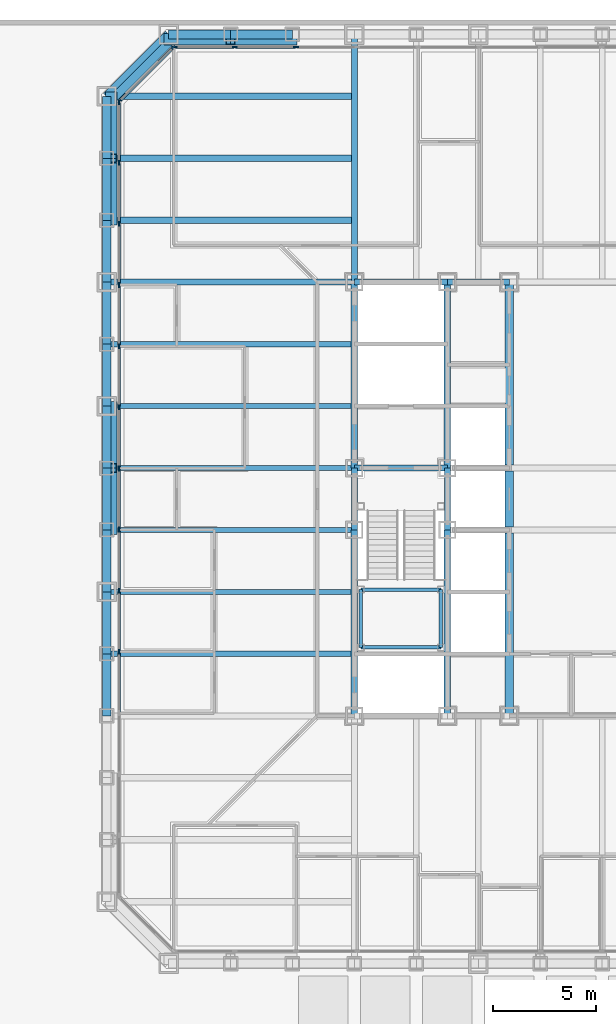
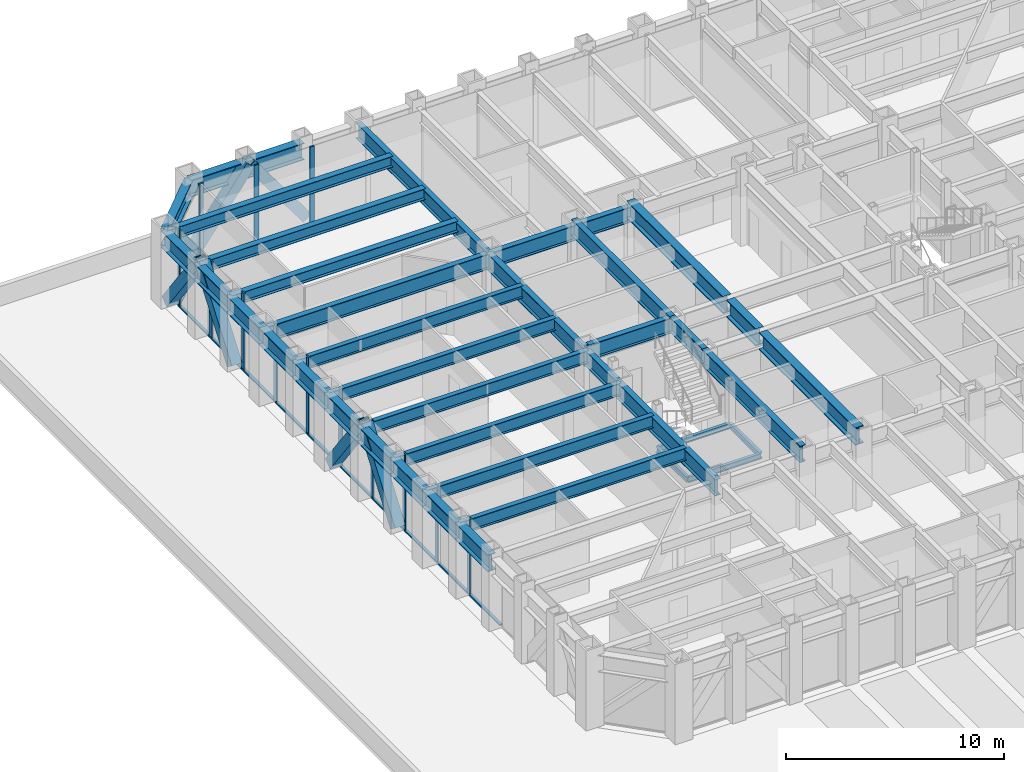
# One storey, part 4 of 18: 40 beams, 35 members, 3 elements without a shape of their own.
"""IFC4 building model written with IfcOpenShell, lengths in metres."""

from ifc_helpers import new_model, si_unit, direction, frame, origin, origin_2d, place, context, subcontext, project, spatial, rectangle, hollow_rectangle, i_section, extrude, material, layer, layer_set, material_profile, profile_set, type_object, element, aggregate, save


model = new_model("IFC4")

# Units and contexts
model_context = context("Model", 3, precision=1e-05, world=origin(), true_north=direction((0.0, 1.0)))
body_context = subcontext(model_context, "Body", "Model", "MODEL_VIEW")
ifc_project = project(units=[si_unit("LENGTHUNIT", "METRE"), si_unit("AREAUNIT", "SQUARE_METRE"), si_unit("VOLUMEUNIT", "CUBIC_METRE"), si_unit("PLANEANGLEUNIT", "RADIAN"), si_unit("MASSUNIT", "GRAM", prefix="KILO")], contexts=[model_context])

# Site, building, storey
site_placement = place(None, origin())
site = spatial("IfcSite", under=ifc_project, at=site_placement, CompositionType="ELEMENT")
building_placement = place(site_placement, origin())
building = spatial("IfcBuilding", under=site, at=building_placement, Name="Chuquiago Exchange Tower", CompositionType="ELEMENT")
storey_placement = place(building_placement, frame((0.0, 0.0, 24.300048828125)))
storey = spatial("IfcBuildingStorey", under=building, at=storey_placement, Name="L04", CompositionType="ELEMENT", Elevation=24.300048828125)

# Beams
ifc_material_1 = material(Name="Steel ASTM A992", Category="steel")
ifc_material_profile_1 = material_profile(ifc_material_1, i_section(OverallWidth=0.307373046875, OverallDepth=0.927001953125, WebThickness=0.01953125, FlangeThickness=0.031982421875, at=origin_2d()), Name="W36X194")
ifc_profile_set_1 = profile_set([ifc_material_profile_1], Name="Steel ASTM A992")
beam_type_1 = type_object("IfcBeamType", Name="B10 W36X194", PredefinedType="BEAM", material=ifc_profile_set_1)
for number, where, z_axis, x_axis, name in (
    (1, (12.0, 12.0, 3.576416015625), (0.0, 1.0, 0.0), (-1.0, 0.0, 0.0), "CB-L05-12_12-12_21"),
    (2, (12.0, 24.0, 3.576416015625), (0.0, 1.0, 0.0), (-1.0, 0.0, 0.0), "CB-L05-12_24-12_33"),
    (3, (16.5, 12.0, 3.87646484375), (0.0, 1.0, 0.0), (-1.0, 0.0, 0.0), "CB-L05-16.5_12-16.5_21"),
    (4, (16.5, 24.0, 3.87646484375), (0.0, 1.0, 0.0), (-1.0, 0.0, 0.0), "CB-L05-16.5_24-16.5_33"),
):
    element("IfcBeam", number, at=place(storey_placement, frame(where, z_axis=z_axis, x_axis=x_axis)), inside=storey, type_object=beam_type_1, Name=name, PredefinedType="BEAM", context=body_context, shape_type="SweptSolid", body=[
        extrude(i_section(OverallWidth=0.307373046875, OverallDepth=0.927001953125, WebThickness=0.01953125, FlangeThickness=0.031982421875, at=origin_2d()), origin(), (0.0, 0.0, 1.0), 9.0),
    ])
ifc_material_2 = material(Name="Steel ASTM A992", Category="steel")
ifc_material_profile_2 = material_profile(ifc_material_2, i_section(OverallWidth=0.4267578125, OverallDepth=0.975341796875, WebThickness=0.031005859375, FlangeThickness=0.055908203125, at=origin_2d()), Name="W36X395")
ifc_profile_set_2 = profile_set([ifc_material_profile_2], Name="Steel ASTM A992")
beam_type_2 = type_object("IfcBeamType", Name="B12 W36X395", PredefinedType="BEAM", material=ifc_profile_set_2)
beam_1_placement = place(storey_placement, frame((19.5, 12.0, 3.852294921875), z_axis=(0.0, 1.0, 0.0), x_axis=(-1.0, 0.0, 0.0)))
element("IfcBeam", 5, at=beam_1_placement, inside=storey, type_object=beam_type_2, Name="CB-L05-19.5_12-19.5_20.8451", PredefinedType="BEAM", context=body_context, shape_type="SweptSolid", body=[
    extrude(i_section(OverallWidth=0.4267578125, OverallDepth=0.975341796875, WebThickness=0.031005859375, FlangeThickness=0.055908203125, at=origin_2d()), origin(), (0.0, 0.0, 1.0), 8.84521484375),
])
beam_2_placement = place(storey_placement, frame((19.5, 21.15478515625, 3.852294921875), z_axis=(0.0, 1.0, 0.0), x_axis=(-1.0, 0.0, 0.0)))
element("IfcBeam", 6, at=beam_2_placement, inside=storey, type_object=beam_type_2, Name="CB-L05-19.5_21.1549-19.5_23.8451", PredefinedType="BEAM", context=body_context, shape_type="SweptSolid", body=[
    extrude(i_section(OverallWidth=0.4267578125, OverallDepth=0.975341796875, WebThickness=0.031005859375, FlangeThickness=0.055908203125, at=origin_2d()), origin(), (0.0, 0.0, 1.0), 2.6904296875),
])
beam_3_placement = place(storey_placement, frame((19.5, 24.15478515625, 3.852294921875), z_axis=(0.0, 1.0, 0.0), x_axis=(-1.0, 0.0, 0.0)))
element("IfcBeam", 7, at=beam_3_placement, inside=storey, type_object=beam_type_2, Name="CB-L05-19.5_24.1549-19.5_33", PredefinedType="BEAM", context=body_context, shape_type="SweptSolid", body=[
    extrude(i_section(OverallWidth=0.4267578125, OverallDepth=0.975341796875, WebThickness=0.031005859375, FlangeThickness=0.055908203125, at=origin_2d()), origin(), (0.0, 0.0, 1.0), 8.84521484375),
])
ifc_material_3 = material(Name="Steel ASTM A992", Category="steel")
ifc_material_profile_3 = material_profile(ifc_material_3, i_section(OverallWidth=0.2919921875, OverallDepth=0.8583984375, WebThickness=0.01708984375, FlangeThickness=0.031005859375, at=origin_2d()), Name="W33X169")
ifc_profile_set_3 = profile_set([ifc_material_profile_3], Name="Steel ASTM A992")
beam_type_3 = type_object("IfcBeamType", Name="B3 W33X169", PredefinedType="BEAM", material=ifc_profile_set_3)
for number, where, z_axis, x_axis, name in (
    (8, (12.0, 21.0, 3.610595703125), (0.0, 1.0, 0.0), (-1.0, 0.0, 0.0), "CB-L05-12_21-12_24"),
    (9, (16.5, 21.0, 3.91064453125), (0.0, 1.0, 0.0), (-1.0, 0.0, 0.0), "CB-L05-16.5_21-16.5_24"),
):
    element("IfcBeam", number, at=place(storey_placement, frame(where, z_axis=z_axis, x_axis=x_axis)), inside=storey, type_object=beam_type_3, Name=name, PredefinedType="BEAM", context=body_context, shape_type="SweptSolid", body=[
        extrude(i_section(OverallWidth=0.2919921875, OverallDepth=0.8583984375, WebThickness=0.01708984375, FlangeThickness=0.031005859375, at=origin_2d()), origin(), (0.0, 0.0, 1.0), 3.0),
    ])
for number, where, z_axis, x_axis, name in (
    (10, (12.0, 24.0, 3.91064453125), (1.0, 0.0, 0.0), (0.0, 1.0, 0.0), "CB-L05-12_24-16.5_24"),
    (11, (12.0, 33.0, 3.610595703125), (1.0, 0.0, 0.0), (0.0, 1.0, 0.0), "CB-L05-12_33-16.5_33"),
):
    element("IfcBeam", number, at=place(storey_placement, frame(where, z_axis=z_axis, x_axis=x_axis)), inside=storey, type_object=beam_type_3, Name=name, PredefinedType="BEAM", context=body_context, shape_type="SweptSolid", body=[
        extrude(i_section(OverallWidth=0.2919921875, OverallDepth=0.8583984375, WebThickness=0.01708984375, FlangeThickness=0.031005859375, at=origin_2d()), origin(), (0.0, 0.0, 1.0), 4.5),
    ])
beam_4_placement = place(storey_placement, frame((16.5, 33.0, 3.610595703125), z_axis=(1.0, 0.0, 0.0), x_axis=(0.0, 1.0, 0.0)))
element("IfcBeam", 12, at=beam_4_placement, inside=storey, type_object=beam_type_3, Name="CB-L05-16.5_33-19.5_33", PredefinedType="BEAM", context=body_context, shape_type="SweptSolid", body=[
    extrude(i_section(OverallWidth=0.2919921875, OverallDepth=0.8583984375, WebThickness=0.01708984375, FlangeThickness=0.031005859375, at=origin_2d()), origin(), (0.0, 0.0, 1.0), 3.0),
])
ifc_material_4 = material(Name="Steel ASTM A992", Category="steel")
ifc_material_profile_4 = material_profile(ifc_material_4, i_section(OverallWidth=0.256591796875, OverallDepth=0.693359375, WebThickness=0.014404296875, FlangeThickness=0.023681640625, at=origin_2d()), Name="W27X114")
ifc_profile_set_4 = profile_set([ifc_material_profile_4], Name="Steel ASTM A992")
beam_type_4 = type_object("IfcBeamType", Name="B4 W27X114", PredefinedType="BEAM", material=ifc_profile_set_4)
for number, where, z_axis, x_axis, name in (
    (13, (12.0, 15.0, 3.693359375), (-1.0, 0.0, 0.0), (0.0, -1.0, 0.0), "FB-L05-infill-12_15--0_15-0"),
    (14, (12.0, 18.0, 3.693359375), (-1.0, 0.0, 0.0), (0.0, -1.0, 0.0), "FB-L05-infill-12_18--0_18-0"),
    (15, (12.0, 21.0, 3.693359375), (-1.0, 0.0, 0.0), (0.0, -1.0, 0.0), "FB-L05-infill-12_21--0_21-0"),
    (16, (12.0, 24.0, 3.693359375), (-1.0, 0.0, 0.0), (0.0, -1.0, 0.0), "FB-L05-infill-12_24--0_24-0"),
    (17, (12.0, 27.0, 3.693359375), (-1.0, 0.0, 0.0), (0.0, -1.0, 0.0), "FB-L05-infill-12_27--0_27-0"),
    (18, (12.0, 30.0, 3.693359375), (-1.0, 0.0, 0.0), (0.0, -1.0, 0.0), "FB-L05-infill-12_30--0_30-0"),
):
    element("IfcBeam", number, at=place(storey_placement, frame(where, z_axis=z_axis, x_axis=x_axis)), inside=storey, type_object=beam_type_4, Name=name, PredefinedType="BEAM", context=body_context, shape_type="SweptSolid", body=[
        extrude(i_section(OverallWidth=0.256591796875, OverallDepth=0.693359375, WebThickness=0.014404296875, FlangeThickness=0.023681640625, at=origin_2d()), origin(), (0.0, 0.0, 1.0), 12.0),
    ])
ifc_material_5 = material(Name="Steel ASTM A992", Category="steel")
ifc_material_profile_5 = material_profile(ifc_material_5, i_section(OverallWidth=0.3251953125, OverallDepth=0.6171875, WebThickness=0.013916015625, FlangeThickness=0.021484375, at=origin_2d()), Name="W24X117")
ifc_profile_set_5 = profile_set([ifc_material_profile_5], Name="Steel ASTM A992")
beam_type_5 = type_object("IfcBeamType", Name="B5 W24X117", PredefinedType="BEAM", material=ifc_profile_set_5)
for number, where, z_axis, x_axis, name in (
    (19, (12.0, 36.0, 3.7314453125), (-1.0, 0.0, 0.0), (0.0, -1.0, 0.0), "FB-L05-corner-12_36--0_36-0"),
    (20, (12.0, 39.0, 3.7314453125), (-1.0, 0.0, 0.0), (0.0, -1.0, 0.0), "FB-L05-corner-12_39--0_39-0"),
    (21, (12.0, 42.0, 3.7314453125), (-1.0, 0.0, 0.0), (0.0, -1.0, 0.0), "FB-L05-corner-12_42--0_42-0"),
):
    element("IfcBeam", number, at=place(storey_placement, frame(where, z_axis=z_axis, x_axis=x_axis)), inside=storey, type_object=beam_type_5, Name=name, PredefinedType="BEAM", context=body_context, shape_type="SweptSolid", body=[
        extrude(i_section(OverallWidth=0.3251953125, OverallDepth=0.6171875, WebThickness=0.013916015625, FlangeThickness=0.021484375, at=origin_2d()), origin(), (0.0, 0.0, 1.0), 12.0),
    ])

# Curtain wall, members
ifc_material_6 = material(Name="Aluminium curtain wall system", Category="aluminium")
ifc_layer_1 = layer(ifc_material_6, 0.25)
ifc_layer_set_1 = layer_set([ifc_layer_1], Name="CW1 trading floor curtain wall")
curtain_wall_type_1 = type_object("IfcCurtainWallType", Name="CW1 trading floor curtain wall", PredefinedType="NOTDEFINED", material=ifc_layer_set_1)
curtain_wall_1_placement = place(storey_placement, origin())
curtain_wall_1 = element("IfcCurtainWall", 22, at=curtain_wall_1_placement, inside=storey, type_object=curtain_wall_type_1, Name="CW1 curtain wall L04", PredefinedType="NOTDEFINED")
ifc_material_7 = material(Name="Aluminium mullion, pale anodised", Category="aluminium")
ifc_material_profile_6 = material_profile(ifc_material_7, rectangle(XDim=0.074951171875, YDim=0.25, at=origin_2d()), Name="AL 75x250")
ifc_profile_set_6 = profile_set([ifc_material_profile_6], Name="Aluminium mullion, pale anodised")
member_type_1 = type_object("IfcMemberType", Name="CW1-M mullion 75x250", PredefinedType="MULLION", material=ifc_profile_set_6)
member_1_placement = place(storey_placement, frame((9.172119140625, 44.39990234375, -0.300048828125), z_axis=(0.0, 0.0, 1.0), x_axis=(0.0, -1.0, 0.0)))
member_1 = element("IfcMember", 23, at=member_1_placement, type_object=member_type_1, Name="CW1 mullion 12", PredefinedType="MULLION", context=body_context, shape_type="SweptSolid", body=[
    extrude(rectangle(XDim=0.074951171875, YDim=0.25, at=origin_2d()), origin(), (0.0, 0.0, 1.0), 4.340087890625),
])
member_2_placement = place(storey_placement, frame((6.210205078125, 44.39990234375, -0.300048828125), z_axis=(0.0, 0.0, 1.0), x_axis=(0.0, -1.0, 0.0)))
member_2 = element("IfcMember", 24, at=member_2_placement, type_object=member_type_1, Name="CW1 mullion 13", PredefinedType="MULLION", context=body_context, shape_type="SweptSolid", body=[
    extrude(rectangle(XDim=0.074951171875, YDim=0.25, at=origin_2d()), origin(), (0.0, 0.0, 1.0), 4.340087890625),
])
member_3_placement = place(storey_placement, frame((3.285888671875, 44.39990234375, -0.300048828125), z_axis=(0.0, 0.0, 1.0), x_axis=(0.0, -1.0, 0.0)))
member_3 = element("IfcMember", 25, at=member_3_placement, type_object=member_type_1, Name="CW1 mullion 14", PredefinedType="MULLION", context=body_context, shape_type="SweptSolid", body=[
    extrude(rectangle(XDim=0.074951171875, YDim=0.25, at=origin_2d()), origin(), (0.0, 0.0, 1.0), 4.340087890625),
])

curtain_wall_2_placement = place(storey_placement, origin())
curtain_wall_2 = element("IfcCurtainWall", 26, at=curtain_wall_2_placement, inside=storey, type_object=curtain_wall_type_1, Name="CW1 curtain wall L04", PredefinedType="NOTDEFINED")
member_4_placement = place(storey_placement, frame((0.60009765625, 41.714111328125, -0.300048828125), z_axis=(0.0, 0.0, 1.0), x_axis=(1.0, 0.0, 0.0)))
member_4 = element("IfcMember", 27, at=member_4_placement, type_object=member_type_1, Name="CW1 mullion 1", PredefinedType="MULLION", context=body_context, shape_type="SweptSolid", body=[
    extrude(rectangle(XDim=0.074951171875, YDim=0.25, at=origin_2d()), origin(), (0.0, 0.0, 1.0), 4.340087890625),
])
member_5_placement = place(storey_placement, frame((0.60009765625, 38.789794921875, -0.300048828125), z_axis=(0.0, 0.0, 1.0), x_axis=(1.0, 0.0, 0.0)))
member_5 = element("IfcMember", 28, at=member_5_placement, type_object=member_type_1, Name="CW1 mullion 2", PredefinedType="MULLION", context=body_context, shape_type="SweptSolid", body=[
    extrude(rectangle(XDim=0.074951171875, YDim=0.25, at=origin_2d()), origin(), (0.0, 0.0, 1.0), 4.340087890625),
])
member_6_placement = place(storey_placement, frame((0.60009765625, 35.827880859375, -0.300048828125), z_axis=(0.0, 0.0, 1.0), x_axis=(1.0, 0.0, 0.0)))
member_6 = element("IfcMember", 29, at=member_6_placement, type_object=member_type_1, Name="CW1 mullion 3", PredefinedType="MULLION", context=body_context, shape_type="SweptSolid", body=[
    extrude(rectangle(XDim=0.074951171875, YDim=0.25, at=origin_2d()), origin(), (0.0, 0.0, 1.0), 4.340087890625),
])
member_7_placement = place(storey_placement, frame((0.60009765625, 32.8662109375, -0.300048828125), z_axis=(0.0, 0.0, 1.0), x_axis=(1.0, 0.0, 0.0)))
member_7 = element("IfcMember", 30, at=member_7_placement, type_object=member_type_1, Name="CW1 mullion 4", PredefinedType="MULLION", context=body_context, shape_type="SweptSolid", body=[
    extrude(rectangle(XDim=0.074951171875, YDim=0.25, at=origin_2d()), origin(), (0.0, 0.0, 1.0), 4.340087890625),
])
member_8_placement = place(storey_placement, frame((0.60009765625, 29.904541015625, -0.300048828125), z_axis=(0.0, 0.0, 1.0), x_axis=(1.0, 0.0, 0.0)))
member_8 = element("IfcMember", 31, at=member_8_placement, type_object=member_type_1, Name="CW1 mullion 5", PredefinedType="MULLION", context=body_context, shape_type="SweptSolid", body=[
    extrude(rectangle(XDim=0.074951171875, YDim=0.25, at=origin_2d()), origin(), (0.0, 0.0, 1.0), 4.340087890625),
])
member_9_placement = place(storey_placement, frame((0.60009765625, 26.942626953125, -0.300048828125), z_axis=(0.0, 0.0, 1.0), x_axis=(1.0, 0.0, 0.0)))
member_9 = element("IfcMember", 32, at=member_9_placement, type_object=member_type_1, Name="CW1 mullion 6", PredefinedType="MULLION", context=body_context, shape_type="SweptSolid", body=[
    extrude(rectangle(XDim=0.074951171875, YDim=0.25, at=origin_2d()), origin(), (0.0, 0.0, 1.0), 4.340087890625),
])
member_10_placement = place(storey_placement, frame((0.60009765625, 23.98095703125, -0.300048828125), z_axis=(0.0, 0.0, 1.0), x_axis=(1.0, 0.0, 0.0)))
member_10 = element("IfcMember", 33, at=member_10_placement, type_object=member_type_1, Name="CW1 mullion 7", PredefinedType="MULLION", context=body_context, shape_type="SweptSolid", body=[
    extrude(rectangle(XDim=0.074951171875, YDim=0.25, at=origin_2d()), origin(), (0.0, 0.0, 1.0), 4.340087890625),
])
member_11_placement = place(storey_placement, frame((0.60009765625, 21.01904296875, -0.300048828125), z_axis=(0.0, 0.0, 1.0), x_axis=(1.0, 0.0, 0.0)))
member_11 = element("IfcMember", 34, at=member_11_placement, type_object=member_type_1, Name="CW1 mullion 8", PredefinedType="MULLION", context=body_context, shape_type="SweptSolid", body=[
    extrude(rectangle(XDim=0.074951171875, YDim=0.25, at=origin_2d()), origin(), (0.0, 0.0, 1.0), 4.340087890625),
])
member_12_placement = place(storey_placement, frame((0.60009765625, 18.057373046875, -0.300048828125), z_axis=(0.0, 0.0, 1.0), x_axis=(1.0, 0.0, 0.0)))
member_12 = element("IfcMember", 35, at=member_12_placement, type_object=member_type_1, Name="CW1 mullion 9", PredefinedType="MULLION", context=body_context, shape_type="SweptSolid", body=[
    extrude(rectangle(XDim=0.074951171875, YDim=0.25, at=origin_2d()), origin(), (0.0, 0.0, 1.0), 4.340087890625),
])
member_13_placement = place(storey_placement, frame((0.60009765625, 15.095458984375, -0.300048828125), z_axis=(0.0, 0.0, 1.0), x_axis=(1.0, 0.0, 0.0)))
member_13 = element("IfcMember", 36, at=member_13_placement, type_object=member_type_1, Name="CW1 mullion 10", PredefinedType="MULLION", context=body_context, shape_type="SweptSolid", body=[
    extrude(rectangle(XDim=0.074951171875, YDim=0.25, at=origin_2d()), origin(), (0.0, 0.0, 1.0), 4.340087890625),
])

# Member
ifc_material_8 = material(Name="Aluminium transom, pale anodised", Category="aluminium")
ifc_material_profile_7 = material_profile(ifc_material_8, rectangle(XDim=0.14990234375, YDim=0.074951171875, at=origin_2d()), Name="AL 150x75")
ifc_profile_set_7 = profile_set([ifc_material_profile_7], Name="Aluminium transom, pale anodised")
member_type_2 = type_object("IfcMemberType", Name="CW1-T transom 75x150", PredefinedType="MULLION", material=ifc_profile_set_7)
member_14_placement = place(storey_placement, frame((9.134521484375, 44.39990234375, -0.262451171875), z_axis=(-1.0, 0.0, 0.0), x_axis=(0.0, -1.0, 0.0)))
member_14 = element("IfcMember", 37, at=member_14_placement, type_object=member_type_2, Name="CW1 transom 12.1", PredefinedType="MULLION", context=body_context, shape_type="SweptSolid", body=[
    extrude(rectangle(XDim=0.14990234375, YDim=0.074951171875, at=origin_2d()), origin(), (0.0, 0.0, 1.0), 2.88671875),
])

member_15_placement = place(storey_placement, frame((6.1728515625, 44.39990234375, -0.262451171875), z_axis=(-1.0, 0.0, 0.0), x_axis=(0.0, -1.0, 0.0)))
member_15 = element("IfcMember", 38, at=member_15_placement, type_object=member_type_2, Name="CW1 transom 13.1", PredefinedType="MULLION", context=body_context, shape_type="SweptSolid", body=[
    extrude(rectangle(XDim=0.14990234375, YDim=0.074951171875, at=origin_2d()), origin(), (0.0, 0.0, 1.0), 2.849365234375),
])

aggregate(curtain_wall_1, [member_1, member_2, member_3, member_14, member_15])

member_16_placement = place(storey_placement, frame((0.60009765625, 41.676513671875, -0.262451171875), z_axis=(0.0, -1.0, 0.0), x_axis=(1.0, 0.0, 0.0)))
member_16 = element("IfcMember", 39, at=member_16_placement, type_object=member_type_2, Name="CW1 transom 1.1", PredefinedType="MULLION", context=body_context, shape_type="SweptSolid", body=[
    extrude(rectangle(XDim=0.14990234375, YDim=0.074951171875, at=origin_2d()), origin(), (0.0, 0.0, 1.0), 2.849365234375),
])

member_17_placement = place(storey_placement, frame((0.60009765625, 38.752197265625, -0.262451171875), z_axis=(0.0, -1.0, 0.0), x_axis=(1.0, 0.0, 0.0)))
member_17 = element("IfcMember", 40, at=member_17_placement, type_object=member_type_2, Name="CW1 transom 2.1", PredefinedType="MULLION", context=body_context, shape_type="SweptSolid", body=[
    extrude(rectangle(XDim=0.14990234375, YDim=0.074951171875, at=origin_2d()), origin(), (0.0, 0.0, 1.0), 2.88671875),
])

member_18_placement = place(storey_placement, frame((0.60009765625, 35.79052734375, -0.262451171875), z_axis=(0.0, -1.0, 0.0), x_axis=(1.0, 0.0, 0.0)))
member_18 = element("IfcMember", 41, at=member_18_placement, type_object=member_type_2, Name="CW1 transom 3.1", PredefinedType="MULLION", context=body_context, shape_type="SweptSolid", body=[
    extrude(rectangle(XDim=0.14990234375, YDim=0.074951171875, at=origin_2d()), origin(), (0.0, 0.0, 1.0), 2.88671875),
])

member_19_placement = place(storey_placement, frame((0.60009765625, 32.82861328125, -0.262451171875), z_axis=(0.0, -1.0, 0.0), x_axis=(1.0, 0.0, 0.0)))
member_19 = element("IfcMember", 42, at=member_19_placement, type_object=member_type_2, Name="CW1 transom 4.1", PredefinedType="MULLION", context=body_context, shape_type="SweptSolid", body=[
    extrude(rectangle(XDim=0.14990234375, YDim=0.074951171875, at=origin_2d()), origin(), (0.0, 0.0, 1.0), 2.88671875),
])

member_20_placement = place(storey_placement, frame((0.60009765625, 29.866943359375, -0.262451171875), z_axis=(0.0, -1.0, 0.0), x_axis=(1.0, 0.0, 0.0)))
member_20 = element("IfcMember", 43, at=member_20_placement, type_object=member_type_2, Name="CW1 transom 5.1", PredefinedType="MULLION", context=body_context, shape_type="SweptSolid", body=[
    extrude(rectangle(XDim=0.14990234375, YDim=0.074951171875, at=origin_2d()), origin(), (0.0, 0.0, 1.0), 2.88671875),
])

member_21_placement = place(storey_placement, frame((0.60009765625, 26.9052734375, -0.262451171875), z_axis=(0.0, -1.0, 0.0), x_axis=(1.0, 0.0, 0.0)))
member_21 = element("IfcMember", 44, at=member_21_placement, type_object=member_type_2, Name="CW1 transom 6.1", PredefinedType="MULLION", context=body_context, shape_type="SweptSolid", body=[
    extrude(rectangle(XDim=0.14990234375, YDim=0.074951171875, at=origin_2d()), origin(), (0.0, 0.0, 1.0), 2.886962890625),
])

member_22_placement = place(storey_placement, frame((0.60009765625, 23.943359375, -0.262451171875), z_axis=(0.0, -1.0, 0.0), x_axis=(1.0, 0.0, 0.0)))
member_22 = element("IfcMember", 45, at=member_22_placement, type_object=member_type_2, Name="CW1 transom 7.1", PredefinedType="MULLION", context=body_context, shape_type="SweptSolid", body=[
    extrude(rectangle(XDim=0.14990234375, YDim=0.074951171875, at=origin_2d()), origin(), (0.0, 0.0, 1.0), 2.88671875),
])

member_23_placement = place(storey_placement, frame((0.60009765625, 20.981689453125, -0.262451171875), z_axis=(0.0, -1.0, 0.0), x_axis=(1.0, 0.0, 0.0)))
member_23 = element("IfcMember", 46, at=member_23_placement, type_object=member_type_2, Name="CW1 transom 8.1", PredefinedType="MULLION", context=body_context, shape_type="SweptSolid", body=[
    extrude(rectangle(XDim=0.14990234375, YDim=0.074951171875, at=origin_2d()), origin(), (0.0, 0.0, 1.0), 2.886962890625),
])

member_24_placement = place(storey_placement, frame((0.60009765625, 18.019775390625, -0.262451171875), z_axis=(0.0, -1.0, 0.0), x_axis=(1.0, 0.0, 0.0)))
member_24 = element("IfcMember", 47, at=member_24_placement, type_object=member_type_2, Name="CW1 transom 9.1", PredefinedType="MULLION", context=body_context, shape_type="SweptSolid", body=[
    extrude(rectangle(XDim=0.14990234375, YDim=0.074951171875, at=origin_2d()), origin(), (0.0, 0.0, 1.0), 2.88671875),
])

member_25_placement = place(storey_placement, frame((0.60009765625, 15.05810546875, -0.262451171875), z_axis=(0.0, -1.0, 0.0), x_axis=(1.0, 0.0, 0.0)))
member_25 = element("IfcMember", 48, at=member_25_placement, type_object=member_type_2, Name="CW1 transom 10.1", PredefinedType="MULLION", context=body_context, shape_type="SweptSolid", body=[
    extrude(rectangle(XDim=0.14990234375, YDim=0.074951171875, at=origin_2d()), origin(), (0.0, 0.0, 1.0), 2.88671875),
])

aggregate(curtain_wall_2, [member_4, member_5, member_6, member_7, member_8, member_9, member_10, member_11, member_12, member_13, member_16, member_17, member_18, member_19, member_20, member_21, member_22, member_23, member_24, member_25])

# Curtain wall, members
ifc_material_9 = material(Name="Aluminium curtain wall system", Category="aluminium")
ifc_layer_2 = layer(ifc_material_9, 0.199951171875)
ifc_layer_set_2 = layer_set([ifc_layer_2], Name="CW3 facet curtain wall")
curtain_wall_type_2 = type_object("IfcCurtainWallType", Name="CW3 facet curtain wall", PredefinedType="NOTDEFINED", material=ifc_layer_set_2)
curtain_wall_3_placement = place(storey_placement, origin())
curtain_wall_3 = element("IfcCurtainWall", 49, at=curtain_wall_3_placement, inside=storey, type_object=curtain_wall_type_2, Name="CW3 curtain wall L04", PredefinedType="NOTDEFINED")
ifc_material_10 = material(Name="Aluminium mullion, pale anodised", Category="aluminium")
ifc_material_profile_8 = material_profile(ifc_material_10, rectangle(XDim=0.06494140625, YDim=0.199951171875, at=origin_2d()), Name="AL 65x200")
ifc_profile_set_8 = profile_set([ifc_material_profile_8], Name="Aluminium mullion, pale anodised")
member_type_3 = type_object("IfcMemberType", Name="CW3-M mullion 65x200", PredefinedType="MULLION", material=ifc_profile_set_8)
member_26_placement = place(storey_placement, frame((3.2255859375, 44.376953125, -0.300048828125), z_axis=(0.0, 0.0, 1.0), x_axis=(0.707106781187, -0.707106781187, 0.0)))
member_26 = element("IfcMember", 50, at=member_26_placement, type_object=member_type_3, Name="CW3 mullion 1", PredefinedType="MULLION", context=body_context, shape_type="SweptSolid", body=[
    extrude(rectangle(XDim=0.06494140625, YDim=0.199951171875, at=origin_2d()), origin(), (0.0, 0.0, 1.0), 4.340087890625),
])
member_27_placement = place(storey_placement, frame((0.623046875, 41.7744140625, -0.300048828125), z_axis=(0.0, 0.0, 1.0), x_axis=(0.707106781187, -0.707106781187, 0.0)))
member_27 = element("IfcMember", 51, at=member_27_placement, type_object=member_type_3, Name="CW3 mullion 2", PredefinedType="MULLION", context=body_context, shape_type="SweptSolid", body=[
    extrude(rectangle(XDim=0.06494140625, YDim=0.199951171875, at=origin_2d()), origin(), (0.0, 0.0, 1.0), 4.340087890625),
])
ifc_material_11 = material(Name="Aluminium transom, pale anodised", Category="aluminium")
ifc_material_profile_9 = material_profile(ifc_material_11, rectangle(XDim=0.139892578125, YDim=0.06494140625, at=origin_2d()), Name="AL 140x65")
ifc_profile_set_9 = profile_set([ifc_material_profile_9], Name="Aluminium transom, pale anodised")
member_type_4 = type_object("IfcMemberType", Name="CW3-T transom 65x140", PredefinedType="MULLION", material=ifc_profile_set_9)
member_28_placement = place(storey_placement, frame((3.20263671875, 44.35400390625, -0.267578125), z_axis=(-0.707106781187, -0.707106781187, 0.0), x_axis=(0.707106781187, -0.707106781187, 0.0)))
member_28 = element("IfcMember", 52, at=member_28_placement, type_object=member_type_4, Name="CW3 transom 1.1", PredefinedType="MULLION", context=body_context, shape_type="SweptSolid", body=[
    extrude(rectangle(XDim=0.139892578125, YDim=0.06494140625, at=origin_2d()), origin(), (0.0, 0.0, 1.0), 3.61572265625),
])
aggregate(curtain_wall_3, [member_26, member_27, member_28])

# Beams
ifc_material_12 = material(Name="Steel ASTM A992", Category="steel")
ifc_material_profile_10 = material_profile(ifc_material_12, i_section(OverallWidth=0.2919921875, OverallDepth=0.8583984375, WebThickness=0.01708984375, FlangeThickness=0.031005859375, at=origin_2d()), Name="W33X169")
ifc_profile_set_10 = profile_set([ifc_material_profile_10], Name="Steel ASTM A992")
beam_type_6 = type_object("IfcBeamType", Name="G2 W33X169", PredefinedType="BEAM", material=ifc_profile_set_10)
for number, where, z_axis, x_axis, name in (
    (53, (12.0, 33.0, 3.610595703125), (0.0, 1.0, 0.0), (-1.0, 0.0, 0.0), "FB-L05-girder-12_33-12_45-0"),
    (54, (12.0, 33.0, 3.610595703125), (-1.0, 0.0, 0.0), (0.0, -1.0, 0.0), "FB-L05-girder-12_33--0_33-0"),
):
    element("IfcBeam", number, at=place(storey_placement, frame(where, z_axis=z_axis, x_axis=x_axis)), inside=storey, type_object=beam_type_6, Name=name, PredefinedType="BEAM", context=body_context, shape_type="SweptSolid", body=[
        extrude(i_section(OverallWidth=0.2919921875, OverallDepth=0.8583984375, WebThickness=0.01708984375, FlangeThickness=0.031005859375, at=origin_2d()), origin(), (0.0, 0.0, 1.0), 12.0),
    ])

# Member
ifc_material_13 = material(Name="Steel ASTM A500 Grade C", Category="steel")
ifc_material_profile_11 = material_profile(ifc_material_13, hollow_rectangle(XDim=0.406494140625, YDim=0.406494140625, WallThickness=0.0146484375, at=origin_2d()), Name="HSS16X16X5/8")
ifc_profile_set_11 = profile_set([ifc_material_profile_11], Name="Steel ASTM A500 Grade C")
member_type_5 = type_object("IfcMemberType", Name="LB4 HSS16X16X5/8", PredefinedType="BRACE", material=ifc_profile_set_11)
member_29_placement = place(storey_placement, frame((3.21337890625, 44.78662109375, 0.0), z_axis=(-0.512077265487, -0.512077265487, 0.689604051861), x_axis=(0.707106781187, -0.707106781187, 0.0)))
element("IfcMember", 55, at=member_29_placement, inside=storey, type_object=member_type_5, Name="LB-L04-3_45-0_42", PredefinedType="BRACE", context=body_context, shape_type="SweptSolid", body=[
    extrude(hollow_rectangle(XDim=0.406494140625, YDim=0.406494140625, WallThickness=0.0146484375, at=origin_2d()), origin(), (0.0, 0.0, 1.0), 5.8583984375),
])

# Beams
ifc_material_14 = material(Name="Steel ASTM A992", Category="steel")
ifc_material_profile_12 = material_profile(ifc_material_14, i_section(OverallWidth=0.164794921875, OverallDepth=0.309814453125, WebThickness=0.005859375, FlangeThickness=0.009765625, at=origin_2d()), Name="W12X26")
ifc_profile_set_12 = profile_set([ifc_material_profile_12], Name="Steel ASTM A992")
beam_type_7 = type_object("IfcBeamType", Name="LS1 W12X26", PredefinedType="BEAM", material=ifc_profile_set_12)
for number, where, z_axis, x_axis, name in (
    (56, (12.31005859375, 15.31005859375, 1.89501953125), (0.0, 1.0, 0.0), (-1.0, 0.0, 0.0), "Stair ST1 L04 landing 1 stringer"),
    (57, (16.18994140625, 15.31005859375, 1.89501953125), (0.0, 1.0, 0.0), (-1.0, 0.0, 0.0), "Stair ST1 L04 landing 1 stringer"),
):
    element("IfcBeam", number, at=place(storey_placement, frame(where, z_axis=z_axis, x_axis=x_axis)), inside=storey, type_object=beam_type_7, Name=name, PredefinedType="BEAM", context=body_context, shape_type="SweptSolid", body=[
        extrude(i_section(OverallWidth=0.164794921875, OverallDepth=0.309814453125, WebThickness=0.005859375, FlangeThickness=0.009765625, at=origin_2d()), origin(), (0.0, 0.0, 1.0), 2.800048828125),
    ])
ifc_material_15 = material(Name="Steel ASTM A992", Category="steel")
ifc_material_profile_13 = material_profile(ifc_material_15, i_section(OverallWidth=0.164794921875, OverallDepth=0.309814453125, WebThickness=0.005859375, FlangeThickness=0.009765625, at=origin_2d()), Name="W12X26")
ifc_profile_set_13 = profile_set([ifc_material_profile_13], Name="Steel ASTM A992")
beam_type_8 = type_object("IfcBeamType", Name="LT1 W12X26", PredefinedType="BEAM", material=ifc_profile_set_13)
for number, where, z_axis, x_axis, name in (
    (58, (12.31005859375, 15.31005859375, 1.89501953125), (1.0, 0.0, 0.0), (0.0, 1.0, 0.0), "Stair ST1 L04 landing 1 trimmer"),
    (59, (12.31005859375, 18.110107421875, 1.89501953125), (1.0, 0.0, 0.0), (0.0, 1.0, 0.0), "Stair ST1 L04 landing 1 trimmer"),
):
    element("IfcBeam", number, at=place(storey_placement, frame(where, z_axis=z_axis, x_axis=x_axis)), inside=storey, type_object=beam_type_8, Name=name, PredefinedType="BEAM", context=body_context, shape_type="SweptSolid", body=[
        extrude(i_section(OverallWidth=0.164794921875, OverallDepth=0.309814453125, WebThickness=0.005859375, FlangeThickness=0.009765625, at=origin_2d()), origin(), (0.0, 0.0, 1.0), 3.8798828125),
    ])

# Members
ifc_material_16 = material(Name="Steel ASTM A572 Grade 50", Category="steel")
ifc_material_profile_14 = material_profile(ifc_material_16, hollow_rectangle(XDim=0.550048828125, YDim=0.550048828125, WallThickness=0.044921875, at=origin_2d()), Name="BOX550X550X45")
ifc_profile_set_14 = profile_set([ifc_material_profile_14], Name="Steel ASTM A572 Grade 50")
member_type_6 = type_object("IfcMemberType", Name="MB1 BOX550X550X45", PredefinedType="BRACE", material=ifc_profile_set_14)
for number, where, z_axis, x_axis, name in (
    (60, (9.0, 44.77001953125, 0.0), (-0.596173923302, 0.0, 0.802855312728), (0.0, -1.0, 0.0), "Mega diagonal L04 N face"),
    (61, (3.0, 44.77001953125, 0.0), (0.596173923302, 0.0, 0.802855312728), (0.0, 1.0, 0.0), "Mega diagonal L04 N face"),
    (62, (0.22998046875, 42.0, 0.0), (0.0, -0.596173923302, 0.802855312728), (1.0, 0.0, 0.0), "Mega diagonal L04 W face"),
    (63, (0.22998046875, 36.0, 0.0), (0.0, 0.596173923302, 0.802855312728), (-1.0, 0.0, 0.0), "Mega diagonal L04 W face"),
    (64, (0.22998046875, 27.0, 0.0), (0.0, -0.596173923302, 0.802855312728), (1.0, 0.0, 0.0), "Mega diagonal L04 W face"),
    (65, (0.22998046875, 21.0, 0.0), (0.0, 0.596173923302, 0.802855312728), (-1.0, 0.0, 0.0), "Mega diagonal L04 W face"),
):
    element("IfcMember", number, at=place(storey_placement, frame(where, z_axis=z_axis, x_axis=x_axis)), inside=storey, type_object=member_type_6, Name=name, PredefinedType="BRACE", context=body_context, shape_type="SweptSolid", body=[
        extrude(hollow_rectangle(XDim=0.550048828125, YDim=0.550048828125, WallThickness=0.044921875, at=origin_2d()), origin(), (0.0, 0.0, 1.0), 5.031982421875),
    ])

# Beams
ifc_material_17 = material(Name="Steel ASTM A992", Category="steel")
ifc_material_profile_15 = material_profile(ifc_material_17, i_section(OverallWidth=0.424072265625, OverallDepth=0.947509765625, WebThickness=0.02392578125, FlangeThickness=0.042724609375, at=origin_2d()), Name="W36X302")
ifc_profile_set_15 = profile_set([ifc_material_profile_15], Name="Steel ASTM A992")
beam_type_9 = type_object("IfcBeamType", Name="SP1 W36X302", PredefinedType="SPANDREL", material=ifc_profile_set_15)
for number, where, z_axis, x_axis, name in (
    (66, (9.0, 45.0, 3.566162109375), (-1.0, 0.0, 0.0), (0.0, -1.0, 0.0), "SPB-L05-9_45-6_45"),
    (67, (6.0, 45.0, 3.566162109375), (-1.0, 0.0, 0.0), (0.0, -1.0, 0.0), "SPB-L05-6_45-3_45"),
):
    element("IfcBeam", number, at=place(storey_placement, frame(where, z_axis=z_axis, x_axis=x_axis)), inside=storey, type_object=beam_type_9, Name=name, PredefinedType="SPANDREL", context=body_context, shape_type="SweptSolid", body=[
        extrude(i_section(OverallWidth=0.424072265625, OverallDepth=0.947509765625, WebThickness=0.02392578125, FlangeThickness=0.042724609375, at=origin_2d()), origin(), (0.0, 0.0, 1.0), 3.0),
    ])
beam_5_placement = place(storey_placement, frame((3.0, 45.0, 3.566162109375), z_axis=(-0.707106781187, -0.707106781187, 0.0), x_axis=(0.707106781187, -0.707106781187, 0.0)))
element("IfcBeam", 68, at=beam_5_placement, inside=storey, type_object=beam_type_9, Name="SPB-L05-3_45-0_42", PredefinedType="SPANDREL", context=body_context, shape_type="SweptSolid", body=[
    extrude(i_section(OverallWidth=0.424072265625, OverallDepth=0.947509765625, WebThickness=0.02392578125, FlangeThickness=0.042724609375, at=origin_2d()), origin(), (0.0, 0.0, 1.0), 4.24267578125),
])
for number, where, z_axis, x_axis, name in (
    (69, (0.0, 42.0, 3.566162109375), (0.0, -1.0, 0.0), (1.0, 0.0, 0.0), "SPB-L05-0_42-0_39"),
    (70, (0.0, 39.0, 3.566162109375), (0.0, -1.0, 0.0), (1.0, 0.0, 0.0), "SPB-L05-0_39-0_36"),
    (71, (0.0, 36.0, 3.566162109375), (0.0, -1.0, 0.0), (1.0, 0.0, 0.0), "SPB-L05-0_36-0_33"),
    (72, (0.0, 33.0, 3.566162109375), (0.0, -1.0, 0.0), (1.0, 0.0, 0.0), "SPB-L05-0_33-0_30"),
    (73, (0.0, 30.0, 3.566162109375), (0.0, -1.0, 0.0), (1.0, 0.0, 0.0), "SPB-L05-0_30-0_27"),
    (74, (0.0, 27.0, 3.566162109375), (0.0, -1.0, 0.0), (1.0, 0.0, 0.0), "SPB-L05-0_27-0_24"),
    (75, (0.0, 24.0, 3.566162109375), (0.0, -1.0, 0.0), (1.0, 0.0, 0.0), "SPB-L05-0_24-0_21"),
    (76, (0.0, 21.0, 3.566162109375), (0.0, -1.0, 0.0), (1.0, 0.0, 0.0), "SPB-L05-0_21-0_18"),
    (77, (0.0, 18.0, 3.566162109375), (0.0, -1.0, 0.0), (1.0, 0.0, 0.0), "SPB-L05-0_18-0_15"),
    (78, (0.0, 15.0, 3.566162109375), (0.0, -1.0, 0.0), (1.0, 0.0, 0.0), "SPB-L05-0_15-0_12"),
):
    element("IfcBeam", number, at=place(storey_placement, frame(where, z_axis=z_axis, x_axis=x_axis)), inside=storey, type_object=beam_type_9, Name=name, PredefinedType="SPANDREL", context=body_context, shape_type="SweptSolid", body=[
        extrude(i_section(OverallWidth=0.424072265625, OverallDepth=0.947509765625, WebThickness=0.02392578125, FlangeThickness=0.042724609375, at=origin_2d()), origin(), (0.0, 0.0, 1.0), 3.0),
    ])

save(model, "model.ifc")
